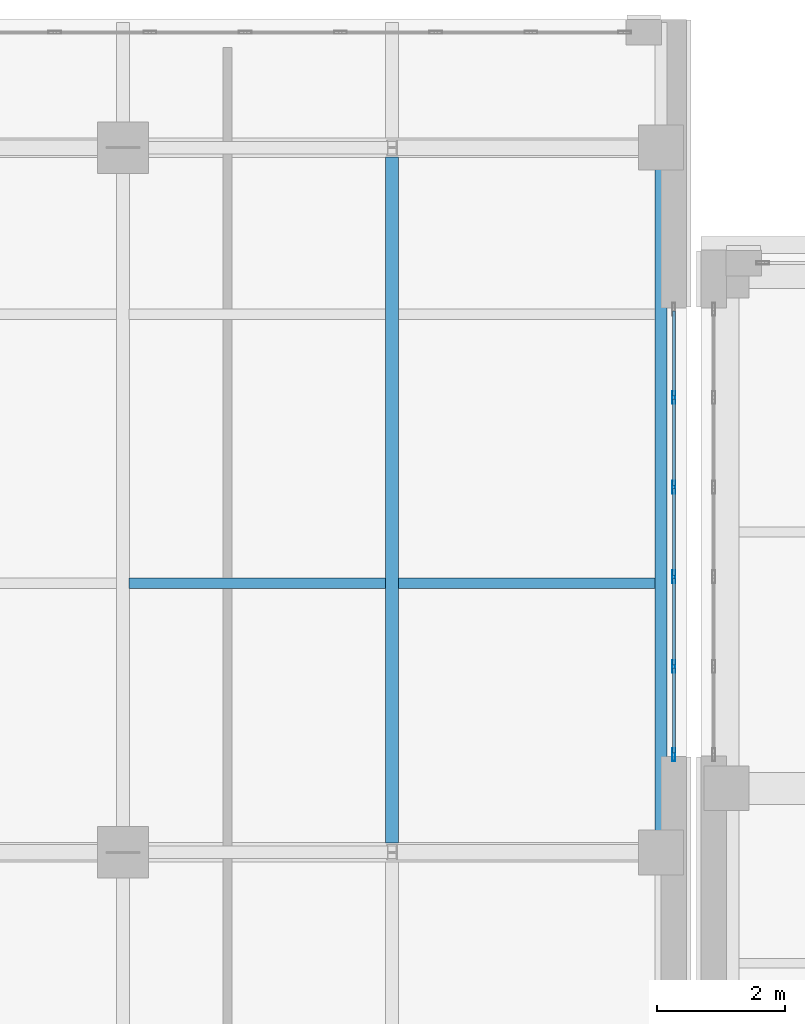
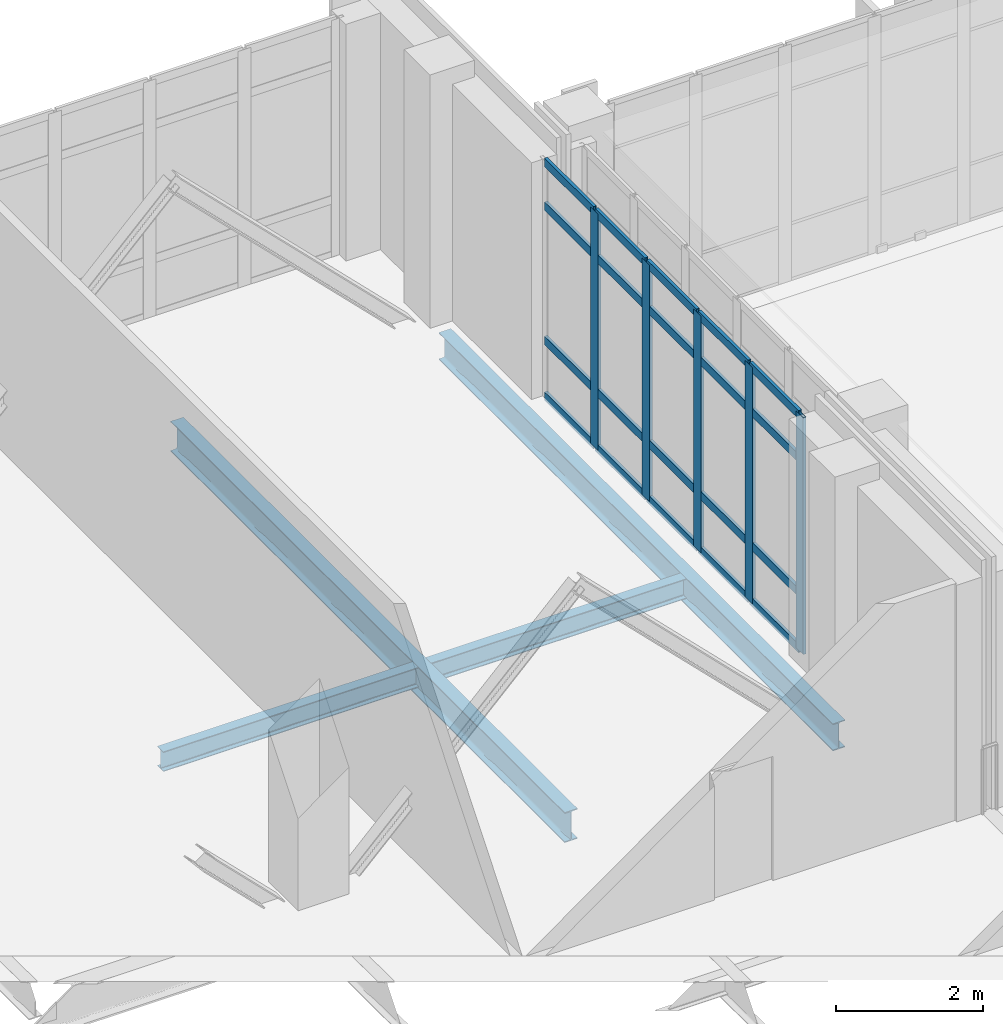
# One storey, part 12 of 158: 25 members, 4 beams, 1 element without a shape of its own.
"""IFC4 building model written with IfcOpenShell, lengths in metres."""

import ifcopenshell
import ifcopenshell.guid

model = None  # the IFC model being written
_history = None  # IfcOwnerHistory: only IFC2X3 demands one
_inside = {}  # id of a spatial element -> (the spatial element, [elements in it])
_under = {}  # id of a project, library or spatial element -> (it, [spatial elements below it])
_declared = {}  # id of a project -> (the project, [libraries it declares])
_typed = {}  # id of a type object -> (the type object, [elements of that type])
_made_of = {}  # id of a material, layer set ... -> (it, [elements and type objects made of it])


def new_model(schema):
    """Start an empty IFC model of exactly this schema.

    Asked for "IFC4X3", IfcOpenShell would pick the latest addendum, in which some entities
    have other attributes; the version numbers below select the first issue.
    IFC2X3 requires an IfcOwnerHistory on every rooted entity: one is made here for all.
    """
    global model, _history
    if schema == "IFC4X3":
        model = ifcopenshell.file(schema_version=(4, 3, 0, 0))
    else:
        model = ifcopenshell.file(schema=schema)
    _inside.clear()
    _under.clear()
    _declared.clear()
    _typed.clear()
    _made_of.clear()
    _history = None
    if model.schema == "IFC2X3":
        org = make("IfcOrganization", Name="unknown")
        user = make(
            "IfcPersonAndOrganization",
            ThePerson=make("IfcPerson", FamilyName="unknown"),
            TheOrganization=org,
        )
        app = make(
            "IfcApplication",
            ApplicationDeveloper=org,
            Version="unknown",
            ApplicationFullName="unknown",
            ApplicationIdentifier="unknown",
        )
        _history = make(
            "IfcOwnerHistory",
            OwningUser=user,
            OwningApplication=app,
            ChangeAction="ADDED",
            CreationDate=0,
        )
    return model


def make(cls, **values):
    """One entity of the class cls with the attributes given. An attribute that is None is left unset."""
    return model.create_entity(
        cls, **{name: value for name, value in values.items() if value is not None}
    )


def rooted(cls, **values):
    """An entity with a GlobalId (a new one), such as an element, a storey or a relation."""
    return make(cls, GlobalId=ifcopenshell.guid.new(), OwnerHistory=_history, **values)


def si_unit(unit_type, name, prefix=None):
    """IfcSIUnit, for example si_unit("LENGTHUNIT", "METRE", prefix="MILLI")."""
    return make("IfcSIUnit", UnitType=unit_type, Prefix=prefix, Name=name)


def assignment(units):
    """IfcUnitAssignment: the units of a project."""
    return None if units is None else make("IfcUnitAssignment", Units=units)


def point(xyz):
    """IfcCartesianPoint."""
    return None if xyz is None else make("IfcCartesianPoint", Coordinates=xyz)


def direction(xyz):
    """IfcDirection."""
    return None if xyz is None else make("IfcDirection", DirectionRatios=xyz)


def frame(location, z_axis=None, x_axis=None):
    """IfcAxis2Placement3D, a coordinate frame: its origin and axes. An axis left out is left unset."""
    return make(
        "IfcAxis2Placement3D",
        Location=point(location),
        Axis=direction(z_axis),
        RefDirection=direction(x_axis),
    )


def frame_2d(location, x_axis=None):
    """IfcAxis2Placement2D, a coordinate frame in the plane: its origin and x axis."""
    return make(
        "IfcAxis2Placement2D", Location=point(location), RefDirection=direction(x_axis)
    )


def origin():
    """The frame at (0, 0, 0) with its axes left unset."""
    return frame((0.0, 0.0, 0.0))


def origin_2d():
    """The frame at (0, 0) in the plane with its x axis left unset."""
    return frame_2d((0.0, 0.0))


def place(relative_to, where):
    """IfcLocalPlacement: puts the frame where relative to a parent placement (None: the world)."""
    return make(
        "IfcLocalPlacement", PlacementRelTo=relative_to, RelativePlacement=where
    )


def context(
    kind, dimensions, precision=None, world=None, true_north=None, identifier=None
):
    """IfcGeometricRepresentationContext, for example the 3D "Model" context."""
    return make(
        "IfcGeometricRepresentationContext",
        ContextIdentifier=identifier,
        ContextType=kind,
        CoordinateSpaceDimension=dimensions,
        Precision=precision,
        WorldCoordinateSystem=world,
        TrueNorth=true_north,
    )


def subcontext(parent, identifier, kind, view, scale=None):
    """IfcGeometricRepresentationSubContext, for example "Body" below "Model"."""
    return make(
        "IfcGeometricRepresentationSubContext",
        ContextIdentifier=identifier,
        ContextType=kind,
        ParentContext=parent,
        TargetScale=scale,
        TargetView=view,
    )


def project(units=None, contexts=None):
    """IfcProject with its units and contexts."""
    return rooted(
        "IfcProject",
        Name="project",
        RepresentationContexts=contexts,
        UnitsInContext=assignment(units),
    )


def spatial(cls, under=None, at=None, **own):
    """A site, building, storey or space (cls), placed at a placement, below another one or the project."""
    s = rooted(cls, ObjectPlacement=at, **own)
    if under is not None:
        _under.setdefault(under.id(), (under, []))[1].append(s)
    return s


def profile(cls, at=None, kind="AREA", **sizes):
    """A parametric profile (cls). Its sizes go by their IFC names, for example OverallWidth=200.0."""
    return make(cls, ProfileType=kind, Position=at, **sizes)


def hollow_rectangle(**sizes):
    """IfcRectangleHollowProfileDef."""
    return profile("IfcRectangleHollowProfileDef", **sizes)


def i_section(**sizes):
    """IfcIShapeProfileDef."""
    return profile("IfcIShapeProfileDef", **sizes)


def extrude(swept, where, along, depth):
    """IfcExtrudedAreaSolid: the profile swept, set in the frame where, extruded along a direction by depth."""
    return make(
        "IfcExtrudedAreaSolid",
        SweptArea=swept,
        Position=where,
        ExtrudedDirection=direction(along),
        Depth=depth,
    )


def shape(context_of_items, identifier, shape_type, items):
    """IfcShapeRepresentation: the items that make up one representation, for example the "Body"."""
    return make(
        "IfcShapeRepresentation",
        ContextOfItems=context_of_items,
        RepresentationIdentifier=identifier,
        RepresentationType=shape_type,
        Items=items,
    )


def material(Name=None, Category=None):
    """IfcMaterial."""
    return make("IfcMaterial", Name=Name, Category=Category)


def layer(
    of_material, thickness, ventilated=None, Name=None, Category=None, Priority=None
):
    """IfcMaterialLayer: one layer of a wall or slab, of a material (None: an air gap)."""
    return make(
        "IfcMaterialLayer",
        Material=of_material,
        LayerThickness=thickness,
        IsVentilated=ventilated,
        Name=Name,
        Category=Category,
        Priority=Priority,
    )


def layer_set(layers, Name=None):
    """IfcMaterialLayerSet."""
    return make("IfcMaterialLayerSet", MaterialLayers=layers, LayerSetName=Name)


def material_profile(
    of_material, cross_section, Name=None, Category=None, Priority=None
):
    """IfcMaterialProfile: a cross section and its material."""
    return make(
        "IfcMaterialProfile",
        Name=Name,
        Material=of_material,
        Profile=cross_section,
        Priority=Priority,
        Category=Category,
    )


def profile_set(profiles, Name=None, composite=None):
    """IfcMaterialProfileSet."""
    return make(
        "IfcMaterialProfileSet",
        Name=Name,
        MaterialProfiles=profiles,
        CompositeProfile=composite,
    )


def made_of(thing, what):
    """Note that an element or type object is made of a material, layer set ...; save() writes the relation."""
    if what is not None:
        _made_of.setdefault(what.id(), (what, []))[1].append(thing)
    return thing


def type_object(cls, material=None, **own):
    """A type object (cls), such as IfcWallType, which elements share."""
    return made_of(rooted(cls, **own), material)


def element(
    cls,
    number,
    at=None,
    inside=None,
    cuts=None,
    type_object=None,
    material=None,
    context=None,
    identifier="Body",
    shape_type=None,
    held_by="IfcProductDefinitionShape",
    body=None,
    shapes=None,
    **own,
):
    """One element of the class cls, such as IfcWall. Its Tag is "e" and its number.

    at: its placement. inside: the storey or other place that contains it. cuts: it is an
    opening in that element (IfcRelVoidsElement). A single representation is given by context,
    identifier, shape_type and body (its items); several are given by shapes. held_by: the class
    of the entity that holds the representations. save() writes the other relations.
    """
    e = rooted(cls, Tag="e%d" % number, ObjectPlacement=at, **own)
    if body is not None:
        shapes = [shape(context, identifier, shape_type, body)]
    if shapes is not None:
        e.Representation = make(held_by, Representations=shapes)
    if inside is not None:
        _inside.setdefault(inside.id(), (inside, []))[1].append(e)
    if cuts is not None:
        rooted(
            "IfcRelVoidsElement", RelatingBuildingElement=cuts, RelatedOpeningElement=e
        )
    if type_object is not None:
        _typed.setdefault(type_object.id(), (type_object, []))[1].append(e)
    return made_of(e, material)


def aggregate(whole, parts):
    """IfcRelAggregates: a whole, such as a stair, and the parts it consists of."""
    return rooted("IfcRelAggregates", RelatingObject=whole, RelatedObjects=parts)


def save(model, path):
    """Write the relations noted so far, then the file.

    IfcRelAggregates (storeys below a building ...), IfcRelContainedInSpatialStructure (elements
    in a storey), IfcRelDefinesByType, IfcRelAssociatesMaterial and IfcRelDeclares: one each for
    every whole, place, type object, material and project.
    """
    for whole, parts in _under.values():
        aggregate(whole, parts)
    for where, things in _inside.values():
        rooted(
            "IfcRelContainedInSpatialStructure",
            RelatedElements=things,
            RelatingStructure=where,
        )
    for kind, things in _typed.values():
        rooted("IfcRelDefinesByType", RelatedObjects=things, RelatingType=kind)
    for what, things in _made_of.values():
        rooted("IfcRelAssociatesMaterial", RelatedObjects=things, RelatingMaterial=what)
    for by, libraries in _declared.values():
        rooted("IfcRelDeclares", RelatingContext=by, RelatedDefinitions=libraries)
    model.write(path)


model = new_model("IFC4")

# Units and contexts
model_context = context("Model", 3, precision=1e-05, world=origin(), true_north=direction((0.0, 1.0)))
body_context = subcontext(model_context, "Body", "Model", "MODEL_VIEW")
ifc_project = project(units=[si_unit("LENGTHUNIT", "METRE"), si_unit("AREAUNIT", "SQUARE_METRE"), si_unit("VOLUMEUNIT", "CUBIC_METRE"), si_unit("PLANEANGLEUNIT", "RADIAN"), si_unit("MASSUNIT", "GRAM", prefix="KILO")], contexts=[model_context])

# Site, building, storey
site_placement = place(None, origin())
site = spatial("IfcSite", under=ifc_project, at=site_placement, CompositionType="ELEMENT")
building_placement = place(site_placement, origin())
building = spatial("IfcBuilding", under=site, at=building_placement, Name="Qalavern Law Courts", CompositionType="ELEMENT")
storey_placement = place(building_placement, frame((0.0, 0.0, 18.60009765625)))
storey = spatial("IfcBuildingStorey", under=building, at=storey_placement, Name="L04", CompositionType="ELEMENT", Elevation=18.60009765625)

# Curtain wall, members
ifc_material_1 = material(Name="Anodised aluminium and insulated glazing", Category="aluminium")
ifc_layer = layer(ifc_material_1, 0.199951171875)
ifc_layer_set = layer_set([ifc_layer], Name="Anodised aluminium and insulated glazing")
curtain_wall_type = type_object("IfcCurtainWallType", Name="ENV-CW-FOYER", PredefinedType="USERDEFINED", material=ifc_layer_set)
curtain_wall_placement = place(storey_placement, origin())
curtain_wall = element("IfcCurtainWall", 1, at=curtain_wall_placement, inside=storey, type_object=curtain_wall_type, Name="V1 unitised curtain wall L04 east 1", ObjectType="UNITISED CURTAIN WALL", PredefinedType="USERDEFINED")
ifc_material_2 = material(Name="Anodised aluminium", Category="aluminium")
ifc_material_profile_1 = material_profile(ifc_material_2, hollow_rectangle(XDim=0.048095703125, YDim=0.199951171875, WallThickness=0.00439453125, at=origin_2d()), Name="ALU MULLION 48x200")
ifc_profile_set_1 = profile_set([ifc_material_profile_1], Name="Anodised aluminium")
member_type_1 = type_object("IfcMemberType", Name="ENV-CWM-48x200", PredefinedType="MULLION", material=ifc_profile_set_1)
member_1_placement = place(storey_placement, frame((33.800048828125, 22.52392578125, 0.0), z_axis=(0.0, 0.0, 1.0), x_axis=(-1.0, 0.0, 0.0)))
member_1 = element("IfcMember", 2, at=member_1_placement, type_object=member_type_1, Name="CW-01 mullion 1", PredefinedType="MULLION", context=body_context, shape_type="SweptSolid", body=[
    extrude(hollow_rectangle(XDim=0.048095703125, YDim=0.199951171875, WallThickness=0.00439453125, at=origin_2d()), origin(), (0.0, 0.0, 1.0), 3.9248046875),
])
member_2_placement = place(storey_placement, frame((33.800048828125, 23.89990234375, 0.0), z_axis=(0.0, 0.0, 1.0), x_axis=(-1.0, 0.0, 0.0)))
member_2 = element("IfcMember", 3, at=member_2_placement, type_object=member_type_1, Name="CW-01 mullion 2", PredefinedType="MULLION", context=body_context, shape_type="SweptSolid", body=[
    extrude(hollow_rectangle(XDim=0.048095703125, YDim=0.199951171875, WallThickness=0.00439453125, at=origin_2d()), origin(), (0.0, 0.0, 1.0), 3.9248046875),
])
member_3_placement = place(storey_placement, frame((33.800048828125, 25.300048828125, 0.0), z_axis=(0.0, 0.0, 1.0), x_axis=(-1.0, 0.0, 0.0)))
member_3 = element("IfcMember", 4, at=member_3_placement, type_object=member_type_1, Name="CW-01 mullion 3", PredefinedType="MULLION", context=body_context, shape_type="SweptSolid", body=[
    extrude(hollow_rectangle(XDim=0.048095703125, YDim=0.199951171875, WallThickness=0.00439453125, at=origin_2d()), origin(), (0.0, 0.0, 1.0), 3.9248046875),
])
member_4_placement = place(storey_placement, frame((33.800048828125, 26.699951171875, 0.0), z_axis=(0.0, 0.0, 1.0), x_axis=(-1.0, 0.0, 0.0)))
member_4 = element("IfcMember", 5, at=member_4_placement, type_object=member_type_1, Name="CW-01 mullion 4", PredefinedType="MULLION", context=body_context, shape_type="SweptSolid", body=[
    extrude(hollow_rectangle(XDim=0.048095703125, YDim=0.199951171875, WallThickness=0.00439453125, at=origin_2d()), origin(), (0.0, 0.0, 1.0), 3.9248046875),
])
member_5_placement = place(storey_placement, frame((33.800048828125, 28.10009765625, 0.0), z_axis=(0.0, 0.0, 1.0), x_axis=(-1.0, 0.0, 0.0)))
member_5 = element("IfcMember", 6, at=member_5_placement, type_object=member_type_1, Name="CW-01 mullion 5", PredefinedType="MULLION", context=body_context, shape_type="SweptSolid", body=[
    extrude(hollow_rectangle(XDim=0.048095703125, YDim=0.199951171875, WallThickness=0.00439453125, at=origin_2d()), origin(), (0.0, 0.0, 1.0), 3.9248046875),
])
ifc_material_profile_2 = material_profile(ifc_material_2, hollow_rectangle(XDim=0.048095703125, YDim=0.139892578125, WallThickness=0.00390625, at=origin_2d()), Name="ALU TRANSOM 48x140")
ifc_profile_set_2 = profile_set([ifc_material_profile_2], Name="Anodised aluminium")
member_type_2 = type_object("IfcMemberType", Name="ENV-CWT-48x140", PredefinedType="USERDEFINED", material=ifc_profile_set_2)
member_6_placement = place(storey_placement, frame((33.800048828125, 22.548095703125, 0.02392578125), z_axis=(0.0, 1.0, 0.0), x_axis=(-1.0, 0.0, 0.0)))
member_6 = element("IfcMember", 7, at=member_6_placement, type_object=member_type_2, Name="CW-01 transom 1.1", ObjectType="TRANSOM", PredefinedType="USERDEFINED", context=body_context, shape_type="SweptSolid", body=[
    extrude(hollow_rectangle(XDim=0.048095703125, YDim=0.139892578125, WallThickness=0.00390625, at=origin_2d()), origin(), (0.0, 0.0, 1.0), 1.327880859375),
])
member_7_placement = place(storey_placement, frame((33.800048828125, 22.548095703125, 0.949951171875), z_axis=(0.0, 1.0, 0.0), x_axis=(-1.0, 0.0, 0.0)))
member_7 = element("IfcMember", 8, at=member_7_placement, type_object=member_type_2, Name="CW-01 transom 1.2", ObjectType="TRANSOM", PredefinedType="USERDEFINED", context=body_context, shape_type="SweptSolid", body=[
    extrude(hollow_rectangle(XDim=0.048095703125, YDim=0.139892578125, WallThickness=0.00390625, at=origin_2d()), origin(), (0.0, 0.0, 1.0), 1.327880859375),
])
member_8_placement = place(storey_placement, frame((33.800048828125, 22.548095703125, 3.1748046875), z_axis=(0.0, 1.0, 0.0), x_axis=(-1.0, 0.0, 0.0)))
member_8 = element("IfcMember", 9, at=member_8_placement, type_object=member_type_2, Name="CW-01 transom 1.3", ObjectType="TRANSOM", PredefinedType="USERDEFINED", context=body_context, shape_type="SweptSolid", body=[
    extrude(hollow_rectangle(XDim=0.048095703125, YDim=0.139892578125, WallThickness=0.00390625, at=origin_2d()), origin(), (0.0, 0.0, 1.0), 1.327880859375),
])
member_9_placement = place(storey_placement, frame((33.800048828125, 22.548095703125, 3.90087890625), z_axis=(0.0, 1.0, 0.0), x_axis=(-1.0, 0.0, 0.0)))
member_9 = element("IfcMember", 10, at=member_9_placement, type_object=member_type_2, Name="CW-01 transom 1.4", ObjectType="TRANSOM", PredefinedType="USERDEFINED", context=body_context, shape_type="SweptSolid", body=[
    extrude(hollow_rectangle(XDim=0.048095703125, YDim=0.139892578125, WallThickness=0.00390625, at=origin_2d()), origin(), (0.0, 0.0, 1.0), 1.327880859375),
])
member_10_placement = place(storey_placement, frame((33.800048828125, 23.924072265625, 0.02392578125), z_axis=(0.0, 1.0, 0.0), x_axis=(-1.0, 0.0, 0.0)))
member_10 = element("IfcMember", 11, at=member_10_placement, type_object=member_type_2, Name="CW-01 transom 2.1", ObjectType="TRANSOM", PredefinedType="USERDEFINED", context=body_context, shape_type="SweptSolid", body=[
    extrude(hollow_rectangle(XDim=0.048095703125, YDim=0.139892578125, WallThickness=0.00390625, at=origin_2d()), origin(), (0.0, 0.0, 1.0), 1.351806640625),
])
member_11_placement = place(storey_placement, frame((33.800048828125, 23.924072265625, 0.949951171875), z_axis=(0.0, 1.0, 0.0), x_axis=(-1.0, 0.0, 0.0)))
member_11 = element("IfcMember", 12, at=member_11_placement, type_object=member_type_2, Name="CW-01 transom 2.2", ObjectType="TRANSOM", PredefinedType="USERDEFINED", context=body_context, shape_type="SweptSolid", body=[
    extrude(hollow_rectangle(XDim=0.048095703125, YDim=0.139892578125, WallThickness=0.00390625, at=origin_2d()), origin(), (0.0, 0.0, 1.0), 1.351806640625),
])
member_12_placement = place(storey_placement, frame((33.800048828125, 23.924072265625, 3.1748046875), z_axis=(0.0, 1.0, 0.0), x_axis=(-1.0, 0.0, 0.0)))
member_12 = element("IfcMember", 13, at=member_12_placement, type_object=member_type_2, Name="CW-01 transom 2.3", ObjectType="TRANSOM", PredefinedType="USERDEFINED", context=body_context, shape_type="SweptSolid", body=[
    extrude(hollow_rectangle(XDim=0.048095703125, YDim=0.139892578125, WallThickness=0.00390625, at=origin_2d()), origin(), (0.0, 0.0, 1.0), 1.351806640625),
])
member_13_placement = place(storey_placement, frame((33.800048828125, 23.924072265625, 3.90087890625), z_axis=(0.0, 1.0, 0.0), x_axis=(-1.0, 0.0, 0.0)))
member_13 = element("IfcMember", 14, at=member_13_placement, type_object=member_type_2, Name="CW-01 transom 2.4", ObjectType="TRANSOM", PredefinedType="USERDEFINED", context=body_context, shape_type="SweptSolid", body=[
    extrude(hollow_rectangle(XDim=0.048095703125, YDim=0.139892578125, WallThickness=0.00390625, at=origin_2d()), origin(), (0.0, 0.0, 1.0), 1.351806640625),
])
member_14_placement = place(storey_placement, frame((33.800048828125, 25.323974609375, 0.02392578125), z_axis=(0.0, 1.0, 0.0), x_axis=(-1.0, 0.0, 0.0)))
member_14 = element("IfcMember", 15, at=member_14_placement, type_object=member_type_2, Name="CW-01 transom 3.1", ObjectType="TRANSOM", PredefinedType="USERDEFINED", context=body_context, shape_type="SweptSolid", body=[
    extrude(hollow_rectangle(XDim=0.048095703125, YDim=0.139892578125, WallThickness=0.00390625, at=origin_2d()), origin(), (0.0, 0.0, 1.0), 1.35205078125),
])
member_15_placement = place(storey_placement, frame((33.800048828125, 25.323974609375, 0.949951171875), z_axis=(0.0, 1.0, 0.0), x_axis=(-1.0, 0.0, 0.0)))
member_15 = element("IfcMember", 16, at=member_15_placement, type_object=member_type_2, Name="CW-01 transom 3.2", ObjectType="TRANSOM", PredefinedType="USERDEFINED", context=body_context, shape_type="SweptSolid", body=[
    extrude(hollow_rectangle(XDim=0.048095703125, YDim=0.139892578125, WallThickness=0.00390625, at=origin_2d()), origin(), (0.0, 0.0, 1.0), 1.35205078125),
])
member_16_placement = place(storey_placement, frame((33.800048828125, 25.323974609375, 3.1748046875), z_axis=(0.0, 1.0, 0.0), x_axis=(-1.0, 0.0, 0.0)))
member_16 = element("IfcMember", 17, at=member_16_placement, type_object=member_type_2, Name="CW-01 transom 3.3", ObjectType="TRANSOM", PredefinedType="USERDEFINED", context=body_context, shape_type="SweptSolid", body=[
    extrude(hollow_rectangle(XDim=0.048095703125, YDim=0.139892578125, WallThickness=0.00390625, at=origin_2d()), origin(), (0.0, 0.0, 1.0), 1.35205078125),
])
member_17_placement = place(storey_placement, frame((33.800048828125, 25.323974609375, 3.90087890625), z_axis=(0.0, 1.0, 0.0), x_axis=(-1.0, 0.0, 0.0)))
member_17 = element("IfcMember", 18, at=member_17_placement, type_object=member_type_2, Name="CW-01 transom 3.4", ObjectType="TRANSOM", PredefinedType="USERDEFINED", context=body_context, shape_type="SweptSolid", body=[
    extrude(hollow_rectangle(XDim=0.048095703125, YDim=0.139892578125, WallThickness=0.00390625, at=origin_2d()), origin(), (0.0, 0.0, 1.0), 1.35205078125),
])
member_18_placement = place(storey_placement, frame((33.800048828125, 26.72412109375, 0.02392578125), z_axis=(0.0, 1.0, 0.0), x_axis=(-1.0, 0.0, 0.0)))
member_18 = element("IfcMember", 19, at=member_18_placement, type_object=member_type_2, Name="CW-01 transom 4.1", ObjectType="TRANSOM", PredefinedType="USERDEFINED", context=body_context, shape_type="SweptSolid", body=[
    extrude(hollow_rectangle(XDim=0.048095703125, YDim=0.139892578125, WallThickness=0.00390625, at=origin_2d()), origin(), (0.0, 0.0, 1.0), 1.351806640625),
])
member_19_placement = place(storey_placement, frame((33.800048828125, 26.72412109375, 0.949951171875), z_axis=(0.0, 1.0, 0.0), x_axis=(-1.0, 0.0, 0.0)))
member_19 = element("IfcMember", 20, at=member_19_placement, type_object=member_type_2, Name="CW-01 transom 4.2", ObjectType="TRANSOM", PredefinedType="USERDEFINED", context=body_context, shape_type="SweptSolid", body=[
    extrude(hollow_rectangle(XDim=0.048095703125, YDim=0.139892578125, WallThickness=0.00390625, at=origin_2d()), origin(), (0.0, 0.0, 1.0), 1.351806640625),
])
member_20_placement = place(storey_placement, frame((33.800048828125, 26.72412109375, 3.1748046875), z_axis=(0.0, 1.0, 0.0), x_axis=(-1.0, 0.0, 0.0)))
member_20 = element("IfcMember", 21, at=member_20_placement, type_object=member_type_2, Name="CW-01 transom 4.3", ObjectType="TRANSOM", PredefinedType="USERDEFINED", context=body_context, shape_type="SweptSolid", body=[
    extrude(hollow_rectangle(XDim=0.048095703125, YDim=0.139892578125, WallThickness=0.00390625, at=origin_2d()), origin(), (0.0, 0.0, 1.0), 1.351806640625),
])
member_21_placement = place(storey_placement, frame((33.800048828125, 26.72412109375, 3.90087890625), z_axis=(0.0, 1.0, 0.0), x_axis=(-1.0, 0.0, 0.0)))
member_21 = element("IfcMember", 22, at=member_21_placement, type_object=member_type_2, Name="CW-01 transom 4.4", ObjectType="TRANSOM", PredefinedType="USERDEFINED", context=body_context, shape_type="SweptSolid", body=[
    extrude(hollow_rectangle(XDim=0.048095703125, YDim=0.139892578125, WallThickness=0.00390625, at=origin_2d()), origin(), (0.0, 0.0, 1.0), 1.351806640625),
])
member_22_placement = place(storey_placement, frame((33.800048828125, 28.1240234375, 0.02392578125), z_axis=(0.0, 1.0, 0.0), x_axis=(-1.0, 0.0, 0.0)))
member_22 = element("IfcMember", 23, at=member_22_placement, type_object=member_type_2, Name="CW-01 transom 5.1", ObjectType="TRANSOM", PredefinedType="USERDEFINED", context=body_context, shape_type="SweptSolid", body=[
    extrude(hollow_rectangle(XDim=0.048095703125, YDim=0.139892578125, WallThickness=0.00390625, at=origin_2d()), origin(), (0.0, 0.0, 1.0), 1.327880859375),
])
member_23_placement = place(storey_placement, frame((33.800048828125, 28.1240234375, 0.949951171875), z_axis=(0.0, 1.0, 0.0), x_axis=(-1.0, 0.0, 0.0)))
member_23 = element("IfcMember", 24, at=member_23_placement, type_object=member_type_2, Name="CW-01 transom 5.2", ObjectType="TRANSOM", PredefinedType="USERDEFINED", context=body_context, shape_type="SweptSolid", body=[
    extrude(hollow_rectangle(XDim=0.048095703125, YDim=0.139892578125, WallThickness=0.00390625, at=origin_2d()), origin(), (0.0, 0.0, 1.0), 1.327880859375),
])
member_24_placement = place(storey_placement, frame((33.800048828125, 28.1240234375, 3.1748046875), z_axis=(0.0, 1.0, 0.0), x_axis=(-1.0, 0.0, 0.0)))
member_24 = element("IfcMember", 25, at=member_24_placement, type_object=member_type_2, Name="CW-01 transom 5.3", ObjectType="TRANSOM", PredefinedType="USERDEFINED", context=body_context, shape_type="SweptSolid", body=[
    extrude(hollow_rectangle(XDim=0.048095703125, YDim=0.139892578125, WallThickness=0.00390625, at=origin_2d()), origin(), (0.0, 0.0, 1.0), 1.327880859375),
])
member_25_placement = place(storey_placement, frame((33.800048828125, 28.1240234375, 3.90087890625), z_axis=(0.0, 1.0, 0.0), x_axis=(-1.0, 0.0, 0.0)))
member_25 = element("IfcMember", 26, at=member_25_placement, type_object=member_type_2, Name="CW-01 transom 5.4", ObjectType="TRANSOM", PredefinedType="USERDEFINED", context=body_context, shape_type="SweptSolid", body=[
    extrude(hollow_rectangle(XDim=0.048095703125, YDim=0.139892578125, WallThickness=0.00390625, at=origin_2d()), origin(), (0.0, 0.0, 1.0), 1.327880859375),
])
aggregate(curtain_wall, [member_1, member_2, member_3, member_4, member_5, member_6, member_7, member_8, member_9, member_10, member_11, member_12, member_13, member_14, member_15, member_16, member_17, member_18, member_19, member_20, member_21, member_22, member_23, member_24, member_25])

# Beams
ifc_material_3 = material(Name="Steel S355", Category="steel")
ifc_material_profile_3 = material_profile(ifc_material_3, i_section(OverallWidth=0.199951171875, OverallDepth=0.5, WebThickness=0.01025390625, FlangeThickness=0.01611328125, FilletRadius=0.02099609375, at=origin_2d()), Name="IPE 500")
ifc_profile_set_3 = profile_set([ifc_material_profile_3], Name="Steel S355")
beam_type_1 = type_object("IfcBeamType", Name="STR-BM-IPE500", PredefinedType="BEAM", material=ifc_profile_set_3)
beam_1_placement = place(storey_placement, frame((29.39990234375, 21.14794921875, -0.530029296875), z_axis=(0.0, 1.0, 0.0), x_axis=(-1.0, 0.0, 0.0)))
element("IfcBeam", 27, at=beam_1_placement, inside=storey, type_object=beam_type_1, Name="Foyer transverse beam L04-2.3", PredefinedType="BEAM", context=body_context, shape_type="SweptSolid", body=[
    extrude(i_section(OverallWidth=0.199951171875, OverallDepth=0.5, WebThickness=0.01025390625, FlangeThickness=0.01611328125, FilletRadius=0.02099609375, at=origin_2d()), origin(), (0.0, 0.0, 1.0), 10.7041015625),
])
ifc_material_profile_4 = material_profile(ifc_material_3, i_section(OverallWidth=0.159912109375, OverallDepth=0.330078125, WebThickness=0.007568359375, FlangeThickness=0.011474609375, FilletRadius=0.01806640625, at=origin_2d()), Name="IPE 330")
ifc_profile_set_4 = profile_set([ifc_material_profile_4], Name="Steel S355")
beam_type_2 = type_object("IfcBeamType", Name="STR-JST-IPE330", PredefinedType="JOIST", material=ifc_profile_set_4)
for number, where, z_axis, x_axis, name in (
    (28, (29.498046875, 25.199951171875, -0.445068359375), (1.0, 0.0, 0.0), (0.0, 1.0, 0.0), "Foyer floor joist L04-1.3"),
    (29, (25.298095703125, 25.199951171875, -0.445068359375), (1.0, 0.0, 0.0), (0.0, 1.0, 0.0), "Foyer floor joist L04-2.3"),
):
    element("IfcBeam", number, at=place(storey_placement, frame(where, z_axis=z_axis, x_axis=x_axis)), inside=storey, type_object=beam_type_2, Name=name, PredefinedType="JOIST", context=body_context, shape_type="SweptSolid", body=[
        extrude(i_section(OverallWidth=0.159912109375, OverallDepth=0.330078125, WebThickness=0.007568359375, FlangeThickness=0.011474609375, FilletRadius=0.01806640625, at=origin_2d()), origin(), (0.0, 0.0, 1.0), 4.00390625),
    ])
ifc_material_profile_5 = material_profile(ifc_material_3, i_section(OverallWidth=0.18994140625, OverallDepth=0.449951171875, WebThickness=0.009521484375, FlangeThickness=0.0146484375, FilletRadius=0.02099609375, at=origin_2d()), Name="IPE 450")
ifc_profile_set_5 = profile_set([ifc_material_profile_5], Name="Steel S355")
beam_type_3 = type_object("IfcBeamType", Name="STR-SP-IPE450", PredefinedType="SPANDREL", material=ifc_profile_set_5)
beam_2_placement = place(storey_placement, frame((33.60009765625, 21.14794921875, -0.505126953125), z_axis=(0.0, 1.0, 0.0), x_axis=(-1.0, 0.0, 0.0)))
element("IfcBeam", 30, at=beam_2_placement, inside=storey, type_object=beam_type_3, Name="Foyer transverse beam L04-1.3", PredefinedType="SPANDREL", context=body_context, shape_type="SweptSolid", body=[
    extrude(i_section(OverallWidth=0.18994140625, OverallDepth=0.449951171875, WebThickness=0.009521484375, FlangeThickness=0.0146484375, FilletRadius=0.02099609375, at=origin_2d()), origin(), (0.0, 0.0, 1.0), 10.7041015625),
])

save(model, "model.ifc")
